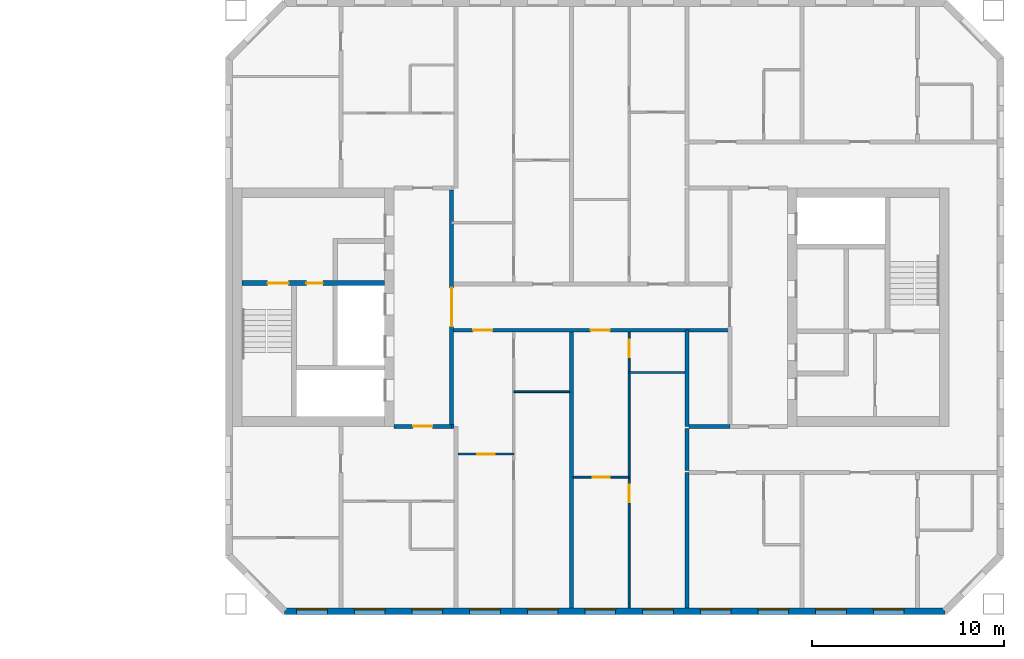
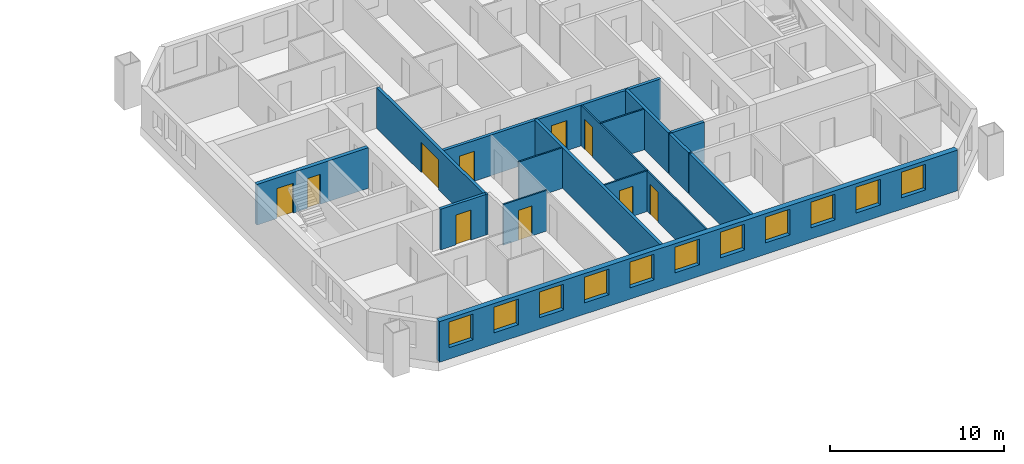
# One storey, part 9 of 15: 16 walls, 11 windows, 10 doors, 21 openings.
"""IFC4 building model written with IfcOpenShell, lengths in metres."""

from ifc_helpers import new_model, si_unit, direction, frame, frame_2d, origin, place, context, subcontext, project, spatial, rectangle, extrude, material, layer, layer_set, type_object, element, fill, save


model = new_model("IFC4")

# Units and contexts
model_context = context("Model", 3, precision=1e-05, world=origin(), true_north=direction((0.0, 1.0)))
body_context = subcontext(model_context, "Body", "Model", "MODEL_VIEW")
ifc_project = project(units=[si_unit("LENGTHUNIT", "METRE"), si_unit("AREAUNIT", "SQUARE_METRE"), si_unit("VOLUMEUNIT", "CUBIC_METRE"), si_unit("PLANEANGLEUNIT", "RADIAN"), si_unit("MASSUNIT", "GRAM", prefix="KILO")], contexts=[model_context])

# Site, building, storey
site_placement = place(None, origin())
site = spatial("IfcSite", under=ifc_project, at=site_placement, CompositionType="ELEMENT")
building_placement = place(site_placement, origin())
building = spatial("IfcBuilding", under=site, at=building_placement, Name="Tuart Gate Housing", CompositionType="ELEMENT")
storey_placement = place(building_placement, frame((0.0, 0.0, 148.5)))
storey = spatial("IfcBuildingStorey", under=building, at=storey_placement, Name="L41", CompositionType="ELEMENT", Elevation=148.5)

# Wall, openings, windows
ifc_material_1 = material(Name="Brick", Category="masonry")
ifc_layer_1 = layer(ifc_material_1, 0.360107421875)
ifc_layer_set_1 = layer_set([ifc_layer_1], Name="Brick pier and spandrel wall 360")
wall_type_1 = type_object("IfcWallType", Name="Brick pier and spandrel wall 360", PredefinedType="STANDARD", material=ifc_layer_set_1)
wall_1_placement = place(storey_placement, frame((134.07470703125, 54.179931640625, 0.0), z_axis=(0.0, 0.0, 1.0), x_axis=(1.0, 0.0, 0.0)))
wall_1 = element("IfcWall", 1, at=wall_1_placement, inside=storey, type_object=wall_type_1, Name="External wall B-S L41", PredefinedType="STANDARD", context=body_context, shape_type="SweptSolid", body=[
    extrude(rectangle(XDim=34.350830078125, YDim=0.360107421875, at=frame_2d((17.17529296875, 0.0))), origin(), (0.0, 0.0, 1.0), 2.85009765625),
])
opening_1_placement = place(wall_1_placement, frame((0.62548828125, 0.0, 0.800048828125)))
opening_1 = element("IfcOpeningElement", 2, at=opening_1_placement, cuts=wall_1, Name="Opening W1", PredefinedType="OPENING", context=body_context, shape_type="SweptSolid", body=[
    extrude(rectangle(XDim=1.60009765625, YDim=1.800048828125, at=frame_2d((0.800048828125, 0.89990234375))), frame((0.0, 0.18994140625, 0.0), z_axis=(0.0, -1.0, 0.0), x_axis=(1.0, 0.0, 0.0)), (0.0, 0.0, 1.0), 0.380126953125),
])
opening_2_placement = place(wall_1_placement, frame((3.62548828125, 0.0, 0.800048828125)))
opening_2 = element("IfcOpeningElement", 3, at=opening_2_placement, cuts=wall_1, Name="Opening W1", PredefinedType="OPENING", context=body_context, shape_type="SweptSolid", body=[
    extrude(rectangle(XDim=1.60009765625, YDim=1.800048828125, at=frame_2d((0.800048828125, 0.89990234375))), frame((0.0, 0.18994140625, 0.0), z_axis=(0.0, -1.0, 0.0), x_axis=(1.0, 0.0, 0.0)), (0.0, 0.0, 1.0), 0.380126953125),
])
opening_3_placement = place(wall_1_placement, frame((6.62548828125, 0.0, 0.800048828125)))
opening_3 = element("IfcOpeningElement", 4, at=opening_3_placement, cuts=wall_1, Name="Opening W1", PredefinedType="OPENING", context=body_context, shape_type="SweptSolid", body=[
    extrude(rectangle(XDim=1.60009765625, YDim=1.800048828125, at=frame_2d((0.800048828125, 0.89990234375))), frame((0.0, 0.18994140625, 0.0), z_axis=(0.0, -1.0, 0.0), x_axis=(1.0, 0.0, 0.0)), (0.0, 0.0, 1.0), 0.380126953125),
])
opening_4_placement = place(wall_1_placement, frame((9.62548828125, 0.0, 0.800048828125)))
opening_4 = element("IfcOpeningElement", 5, at=opening_4_placement, cuts=wall_1, Name="Opening W1", PredefinedType="OPENING", context=body_context, shape_type="SweptSolid", body=[
    extrude(rectangle(XDim=1.60009765625, YDim=1.800048828125, at=frame_2d((0.800048828125, 0.89990234375))), frame((0.0, 0.18994140625, 0.0), z_axis=(0.0, -1.0, 0.0), x_axis=(1.0, 0.0, 0.0)), (0.0, 0.0, 1.0), 0.380126953125),
])
opening_5_placement = place(wall_1_placement, frame((12.62548828125, 0.0, 0.800048828125)))
opening_5 = element("IfcOpeningElement", 6, at=opening_5_placement, cuts=wall_1, Name="Opening W1", PredefinedType="OPENING", context=body_context, shape_type="SweptSolid", body=[
    extrude(rectangle(XDim=1.60009765625, YDim=1.800048828125, at=frame_2d((0.800048828125, 0.89990234375))), frame((0.0, 0.18994140625, 0.0), z_axis=(0.0, -1.0, 0.0), x_axis=(1.0, 0.0, 0.0)), (0.0, 0.0, 1.0), 0.380126953125),
])
opening_6_placement = place(wall_1_placement, frame((15.62548828125, 0.0, 0.800048828125)))
opening_6 = element("IfcOpeningElement", 7, at=opening_6_placement, cuts=wall_1, Name="Opening W1", PredefinedType="OPENING", context=body_context, shape_type="SweptSolid", body=[
    extrude(rectangle(XDim=1.60009765625, YDim=1.800048828125, at=frame_2d((0.800048828125, 0.89990234375))), frame((0.0, 0.18994140625, 0.0), z_axis=(0.0, -1.0, 0.0), x_axis=(1.0, 0.0, 0.0)), (0.0, 0.0, 1.0), 0.380126953125),
])
opening_7_placement = place(wall_1_placement, frame((18.62548828125, 0.0, 0.800048828125)))
opening_7 = element("IfcOpeningElement", 8, at=opening_7_placement, cuts=wall_1, Name="Opening W1", PredefinedType="OPENING", context=body_context, shape_type="SweptSolid", body=[
    extrude(rectangle(XDim=1.60009765625, YDim=1.800048828125, at=frame_2d((0.800048828125, 0.89990234375))), frame((0.0, 0.18994140625, 0.0), z_axis=(0.0, -1.0, 0.0), x_axis=(1.0, 0.0, 0.0)), (0.0, 0.0, 1.0), 0.380126953125),
])
opening_8_placement = place(wall_1_placement, frame((21.62548828125, 0.0, 0.800048828125)))
opening_8 = element("IfcOpeningElement", 9, at=opening_8_placement, cuts=wall_1, Name="Opening W1", PredefinedType="OPENING", context=body_context, shape_type="SweptSolid", body=[
    extrude(rectangle(XDim=1.60009765625, YDim=1.800048828125, at=frame_2d((0.800048828125, 0.89990234375))), frame((0.0, 0.18994140625, 0.0), z_axis=(0.0, -1.0, 0.0), x_axis=(1.0, 0.0, 0.0)), (0.0, 0.0, 1.0), 0.380126953125),
])
opening_9_placement = place(wall_1_placement, frame((24.62548828125, 0.0, 0.800048828125)))
opening_9 = element("IfcOpeningElement", 10, at=opening_9_placement, cuts=wall_1, Name="Opening W1", PredefinedType="OPENING", context=body_context, shape_type="SweptSolid", body=[
    extrude(rectangle(XDim=1.60009765625, YDim=1.800048828125, at=frame_2d((0.800048828125, 0.89990234375))), frame((0.0, 0.18994140625, 0.0), z_axis=(0.0, -1.0, 0.0), x_axis=(1.0, 0.0, 0.0)), (0.0, 0.0, 1.0), 0.380126953125),
])
opening_10_placement = place(wall_1_placement, frame((27.62548828125, 0.0, 0.800048828125)))
opening_10 = element("IfcOpeningElement", 11, at=opening_10_placement, cuts=wall_1, Name="Opening W1", PredefinedType="OPENING", context=body_context, shape_type="SweptSolid", body=[
    extrude(rectangle(XDim=1.60009765625, YDim=1.800048828125, at=frame_2d((0.800048828125, 0.89990234375))), frame((0.0, 0.18994140625, 0.0), z_axis=(0.0, -1.0, 0.0), x_axis=(1.0, 0.0, 0.0)), (0.0, 0.0, 1.0), 0.380126953125),
])
opening_11_placement = place(wall_1_placement, frame((30.62548828125, 0.0, 0.800048828125)))
opening_11 = element("IfcOpeningElement", 12, at=opening_11_placement, cuts=wall_1, Name="Opening W1", PredefinedType="OPENING", context=body_context, shape_type="SweptSolid", body=[
    extrude(rectangle(XDim=1.60009765625, YDim=1.800048828125, at=frame_2d((0.800048828125, 0.89990234375))), frame((0.0, 0.18994140625, 0.0), z_axis=(0.0, -1.0, 0.0), x_axis=(1.0, 0.0, 0.0)), (0.0, 0.0, 1.0), 0.380126953125),
])
ifc_material_2 = material(Name="Aluminium frame with clear glass", Category="aluminium")
window_type = type_object("IfcWindowType", Name="Punched window 1600 x 1800", PartitioningType="SINGLE_PANEL", PredefinedType="WINDOW", material=ifc_material_2)
window_1_placement = place(opening_1_placement, origin())
window_1 = element("IfcWindow", 13, at=window_1_placement, inside=storey, type_object=window_type, Name="Window W1", OverallHeight=1.800048828125, OverallWidth=1.60009765625, PartitioningType="SINGLE_PANEL", PredefinedType="WINDOW", context=body_context, shape_type="SweptSolid", body=[
    extrude(rectangle(XDim=1.60009765625, YDim=1.800048828125, at=frame_2d((0.800048828125, 0.89990234375))), frame((0.0, 0.150146484375, 0.0), z_axis=(0.0, -1.0, 0.0), x_axis=(1.0, 0.0, 0.0)), (0.0, 0.0, 1.0), 0.06005859375),
])
fill(opening_1, window_1)
window_2_placement = place(opening_2_placement, origin())
window_2 = element("IfcWindow", 14, at=window_2_placement, inside=storey, type_object=window_type, Name="Window W1", OverallHeight=1.800048828125, OverallWidth=1.60009765625, PartitioningType="SINGLE_PANEL", PredefinedType="WINDOW", context=body_context, shape_type="SweptSolid", body=[
    extrude(rectangle(XDim=1.60009765625, YDim=1.800048828125, at=frame_2d((0.800048828125, 0.89990234375))), frame((0.0, 0.150146484375, 0.0), z_axis=(0.0, -1.0, 0.0), x_axis=(1.0, 0.0, 0.0)), (0.0, 0.0, 1.0), 0.06005859375),
])
fill(opening_2, window_2)
window_3_placement = place(opening_3_placement, origin())
window_3 = element("IfcWindow", 15, at=window_3_placement, inside=storey, type_object=window_type, Name="Window W1", OverallHeight=1.800048828125, OverallWidth=1.60009765625, PartitioningType="SINGLE_PANEL", PredefinedType="WINDOW", context=body_context, shape_type="SweptSolid", body=[
    extrude(rectangle(XDim=1.60009765625, YDim=1.800048828125, at=frame_2d((0.800048828125, 0.89990234375))), frame((0.0, 0.150146484375, 0.0), z_axis=(0.0, -1.0, 0.0), x_axis=(1.0, 0.0, 0.0)), (0.0, 0.0, 1.0), 0.06005859375),
])
fill(opening_3, window_3)
window_4_placement = place(opening_4_placement, origin())
window_4 = element("IfcWindow", 16, at=window_4_placement, inside=storey, type_object=window_type, Name="Window W1", OverallHeight=1.800048828125, OverallWidth=1.60009765625, PartitioningType="SINGLE_PANEL", PredefinedType="WINDOW", context=body_context, shape_type="SweptSolid", body=[
    extrude(rectangle(XDim=1.60009765625, YDim=1.800048828125, at=frame_2d((0.800048828125, 0.89990234375))), frame((0.0, 0.150146484375, 0.0), z_axis=(0.0, -1.0, 0.0), x_axis=(1.0, 0.0, 0.0)), (0.0, 0.0, 1.0), 0.06005859375),
])
fill(opening_4, window_4)
window_5_placement = place(opening_5_placement, origin())
window_5 = element("IfcWindow", 17, at=window_5_placement, inside=storey, type_object=window_type, Name="Window W1", OverallHeight=1.800048828125, OverallWidth=1.60009765625, PartitioningType="SINGLE_PANEL", PredefinedType="WINDOW", context=body_context, shape_type="SweptSolid", body=[
    extrude(rectangle(XDim=1.60009765625, YDim=1.800048828125, at=frame_2d((0.800048828125, 0.89990234375))), frame((0.0, 0.150146484375, 0.0), z_axis=(0.0, -1.0, 0.0), x_axis=(1.0, 0.0, 0.0)), (0.0, 0.0, 1.0), 0.06005859375),
])
fill(opening_5, window_5)
window_6_placement = place(opening_6_placement, origin())
window_6 = element("IfcWindow", 18, at=window_6_placement, inside=storey, type_object=window_type, Name="Window W1", OverallHeight=1.800048828125, OverallWidth=1.60009765625, PartitioningType="SINGLE_PANEL", PredefinedType="WINDOW", context=body_context, shape_type="SweptSolid", body=[
    extrude(rectangle(XDim=1.60009765625, YDim=1.800048828125, at=frame_2d((0.800048828125, 0.89990234375))), frame((0.0, 0.150146484375, 0.0), z_axis=(0.0, -1.0, 0.0), x_axis=(1.0, 0.0, 0.0)), (0.0, 0.0, 1.0), 0.06005859375),
])
fill(opening_6, window_6)
window_7_placement = place(opening_7_placement, origin())
window_7 = element("IfcWindow", 19, at=window_7_placement, inside=storey, type_object=window_type, Name="Window W1", OverallHeight=1.800048828125, OverallWidth=1.60009765625, PartitioningType="SINGLE_PANEL", PredefinedType="WINDOW", context=body_context, shape_type="SweptSolid", body=[
    extrude(rectangle(XDim=1.60009765625, YDim=1.800048828125, at=frame_2d((0.800048828125, 0.89990234375))), frame((0.0, 0.150146484375, 0.0), z_axis=(0.0, -1.0, 0.0), x_axis=(1.0, 0.0, 0.0)), (0.0, 0.0, 1.0), 0.06005859375),
])
fill(opening_7, window_7)
window_8_placement = place(opening_8_placement, origin())
window_8 = element("IfcWindow", 20, at=window_8_placement, inside=storey, type_object=window_type, Name="Window W1", OverallHeight=1.800048828125, OverallWidth=1.60009765625, PartitioningType="SINGLE_PANEL", PredefinedType="WINDOW", context=body_context, shape_type="SweptSolid", body=[
    extrude(rectangle(XDim=1.60009765625, YDim=1.800048828125, at=frame_2d((0.800048828125, 0.89990234375))), frame((0.0, 0.150146484375, 0.0), z_axis=(0.0, -1.0, 0.0), x_axis=(1.0, 0.0, 0.0)), (0.0, 0.0, 1.0), 0.06005859375),
])
fill(opening_8, window_8)
window_9_placement = place(opening_9_placement, origin())
window_9 = element("IfcWindow", 21, at=window_9_placement, inside=storey, type_object=window_type, Name="Window W1", OverallHeight=1.800048828125, OverallWidth=1.60009765625, PartitioningType="SINGLE_PANEL", PredefinedType="WINDOW", context=body_context, shape_type="SweptSolid", body=[
    extrude(rectangle(XDim=1.60009765625, YDim=1.800048828125, at=frame_2d((0.800048828125, 0.89990234375))), frame((0.0, 0.150146484375, 0.0), z_axis=(0.0, -1.0, 0.0), x_axis=(1.0, 0.0, 0.0)), (0.0, 0.0, 1.0), 0.06005859375),
])
fill(opening_9, window_9)
window_10_placement = place(opening_10_placement, origin())
window_10 = element("IfcWindow", 22, at=window_10_placement, inside=storey, type_object=window_type, Name="Window W1", OverallHeight=1.800048828125, OverallWidth=1.60009765625, PartitioningType="SINGLE_PANEL", PredefinedType="WINDOW", context=body_context, shape_type="SweptSolid", body=[
    extrude(rectangle(XDim=1.60009765625, YDim=1.800048828125, at=frame_2d((0.800048828125, 0.89990234375))), frame((0.0, 0.150146484375, 0.0), z_axis=(0.0, -1.0, 0.0), x_axis=(1.0, 0.0, 0.0)), (0.0, 0.0, 1.0), 0.06005859375),
])
fill(opening_10, window_10)
window_11_placement = place(opening_11_placement, origin())
window_11 = element("IfcWindow", 23, at=window_11_placement, inside=storey, type_object=window_type, Name="Window W1", OverallHeight=1.800048828125, OverallWidth=1.60009765625, PartitioningType="SINGLE_PANEL", PredefinedType="WINDOW", context=body_context, shape_type="SweptSolid", body=[
    extrude(rectangle(XDim=1.60009765625, YDim=1.800048828125, at=frame_2d((0.800048828125, 0.89990234375))), frame((0.0, 0.150146484375, 0.0), z_axis=(0.0, -1.0, 0.0), x_axis=(1.0, 0.0, 0.0)), (0.0, 0.0, 1.0), 0.06005859375),
])
fill(opening_11, window_11)

# Wall, openings, doors
ifc_material_3 = material(Name="Concrete C40", Category="concrete")
ifc_layer_2 = layer(ifc_material_3, 0.25)
ifc_layer_set_2 = layer_set([ifc_layer_2], Name="Core wall 250 C40")
wall_type_2 = type_object("IfcWallType", Name="Core wall 250 C40", PredefinedType="SHEAR", material=ifc_layer_set_2)
wall_2_placement = place(storey_placement, frame((139.260009765625, 71.25, 0.0), z_axis=(0.0, 0.0, 1.0), x_axis=(-1.0, 0.0, 0.0)))
wall_2 = element("IfcWall", 24, at=wall_2_placement, inside=storey, type_object=wall_type_2, Name="Core wall BG.2", PredefinedType="SHEAR", context=body_context, shape_type="SweptSolid", body=[
    extrude(rectangle(XDim=7.39990234375, YDim=0.25, at=frame_2d((3.699951171875, 0.0))), origin(), (0.0, 0.0, 1.0), 2.85009765625),
])
opening_12_placement = place(wall_2_placement, frame((4.97509765625, 0.0, 0.0)))
opening_12 = element("IfcOpeningElement", 25, at=opening_12_placement, cuts=wall_2, Name="Opening D1591", PredefinedType="OPENING", context=body_context, shape_type="SweptSolid", body=[
    extrude(rectangle(XDim=1.10009765625, YDim=2.10009765625, at=frame_2d((0.550048828125, 1.050048828125))), frame((0.0, 0.135009765625, 0.0), z_axis=(0.0, -1.0, 0.0), x_axis=(1.0, 0.0, 0.0)), (0.0, 0.0, 1.0), 0.27001953125),
])
opening_13_placement = place(wall_2_placement, frame((3.199951171875, 0.0, 0.0)))
opening_13 = element("IfcOpeningElement", 26, at=opening_13_placement, cuts=wall_2, Name="Opening D1590", PredefinedType="OPENING", context=body_context, shape_type="SweptSolid", body=[
    extrude(rectangle(XDim=0.85009765625, YDim=2.10009765625, at=frame_2d((0.425048828125, 1.050048828125))), frame((0.0, 0.135009765625, 0.0), z_axis=(0.0, -1.0, 0.0), x_axis=(1.0, 0.0, 0.0)), (0.0, 0.0, 1.0), 0.27001953125),
])
ifc_material_4 = material(Name="Steel fire door", Category="steel")
door_type_1 = type_object("IfcDoorType", Name="Riser door 850 x 2100", OperationType="SINGLE_SWING_LEFT", PredefinedType="DOOR", material=ifc_material_4)
door_1_placement = place(opening_13_placement, origin())
door_1 = element("IfcDoor", 27, at=door_1_placement, inside=storey, type_object=door_type_1, Name="Service room door BG.W1", OperationType="SINGLE_SWING_LEFT", OverallHeight=2.10009765625, OverallWidth=0.85009765625, PredefinedType="DOOR", context=body_context, shape_type="SweptSolid", body=[
    extrude(rectangle(XDim=0.85009765625, YDim=2.10009765625, at=frame_2d((0.425048828125, 1.050048828125))), frame((0.0, 0.02490234375, 0.0), z_axis=(0.0, -1.0, 0.0), x_axis=(1.0, 0.0, 0.0)), (0.0, 0.0, 1.0), 0.050048828125),
])
fill(opening_13, door_1)
ifc_material_5 = material(Name="Steel fire door", Category="steel")
door_type_2 = type_object("IfcDoorType", Name="Stair door 1100 x 2100", OperationType="SINGLE_SWING_LEFT", PredefinedType="DOOR", material=ifc_material_5)
door_2_placement = place(opening_12_placement, origin())
door_2 = element("IfcDoor", 28, at=door_2_placement, inside=storey, type_object=door_type_2, Name="Stair door BG.SD", OperationType="SINGLE_SWING_LEFT", OverallHeight=2.10009765625, OverallWidth=1.10009765625, PredefinedType="DOOR", context=body_context, shape_type="SweptSolid", body=[
    extrude(rectangle(XDim=1.10009765625, YDim=2.10009765625, at=frame_2d((0.550048828125, 1.050048828125))), frame((0.0, 0.02490234375, 0.0), z_axis=(0.0, -1.0, 0.0), x_axis=(1.0, 0.0, 0.0)), (0.0, 0.0, 1.0), 0.050048828125),
])
fill(opening_12, door_2)

# Wall
ifc_material_6 = material(Name="Concrete masonry 15 MPa", Category="masonry")
ifc_layer_3 = layer(ifc_material_6, 0.199951171875)
ifc_layer_set_3 = layer_set([ifc_layer_3], Name="Corridor wall masonry 200")
wall_type_3 = type_object("IfcWallType", Name="Corridor wall masonry 200", PredefinedType="PARTITIONING", material=ifc_layer_set_3)
wall_3_placement = place(storey_placement, frame((155.10009765625, 63.800048828125, 0.0), z_axis=(0.0, 0.0, 1.0), x_axis=(1.0, 0.0, 0.0)))
element("IfcWall", 29, at=wall_3_placement, inside=storey, type_object=wall_type_3, Name="Corridor wall masonry 200", PredefinedType="PARTITIONING", context=body_context, shape_type="SweptSolid", body=[
    extrude(rectangle(XDim=2.139892578125, YDim=0.199951171875, at=frame_2d((1.06982421875, 0.0))), origin(), (0.0, 0.0, 1.0), 2.85009765625),
])

# Wall, openings, doors
wall_4_placement = place(storey_placement, frame((142.760009765625, 68.800048828125, 0.0), z_axis=(0.0, 0.0, 1.0), x_axis=(1.0, 0.0, 0.0)))
wall_4 = element("IfcWall", 30, at=wall_4_placement, inside=storey, type_object=wall_type_3, Name="Corridor wall masonry 200", PredefinedType="PARTITIONING", context=body_context, shape_type="SweptSolid", body=[
    extrude(rectangle(XDim=14.47998046875, YDim=0.199951171875, at=frame_2d((7.239990234375, 0.0))), origin(), (0.0, 0.0, 1.0), 2.85009765625),
])
opening_14_placement = place(wall_4_placement, frame((1.1201171875, 0.0, 0.0)))
opening_14 = element("IfcOpeningElement", 31, at=opening_14_placement, cuts=wall_4, Name="Opening D1601", PredefinedType="OPENING", context=body_context, shape_type="SweptSolid", body=[
    extrude(rectangle(XDim=1.0, YDim=2.10009765625, at=frame_2d((0.5, 1.050048828125))), frame((0.0, 0.10986328125, 0.0), z_axis=(0.0, -1.0, 0.0), x_axis=(1.0, 0.0, 0.0)), (0.0, 0.0, 1.0), 0.219970703125),
])
opening_15_placement = place(wall_4_placement, frame((7.239990234375, 0.0, 0.0)))
opening_15 = element("IfcOpeningElement", 32, at=opening_15_placement, cuts=wall_4, Name="Opening D1602", PredefinedType="OPENING", context=body_context, shape_type="SweptSolid", body=[
    extrude(rectangle(XDim=1.0, YDim=2.10009765625, at=frame_2d((0.5, 1.050048828125))), frame((0.0, 0.10986328125, 0.0), z_axis=(0.0, -1.0, 0.0), x_axis=(1.0, 0.0, 0.0)), (0.0, 0.0, 1.0), 0.219970703125),
])
ifc_material_7 = material(Name="Timber door leaf in steel frame", Category="steel")
door_type_3 = type_object("IfcDoorType", Name="Flat entrance door 1000 RH", OperationType="SINGLE_SWING_RIGHT", PredefinedType="DOOR", material=ifc_material_7)
door_3_placement = place(opening_14_placement, frame((1.0, 0.0, 0.0), z_axis=(0.0, 0.0, 1.0), x_axis=(-1.0, 0.0, 0.0)))
door_3 = element("IfcDoor", 33, at=door_3_placement, inside=storey, type_object=door_type_3, Name="Flat entrance door", OperationType="SINGLE_SWING_RIGHT", OverallHeight=2.10009765625, OverallWidth=1.0, PredefinedType="DOOR", context=body_context, shape_type="SweptSolid", body=[
    extrude(rectangle(XDim=1.0, YDim=2.10009765625, at=frame_2d((0.5, 1.050048828125))), frame((0.0, 0.025146484375, 0.0), z_axis=(0.0, -1.0, 0.0), x_axis=(1.0, 0.0, 0.0)), (0.0, 0.0, 1.0), 0.050048828125),
])
fill(opening_14, door_3)
door_4_placement = place(opening_15_placement, frame((1.0, 0.0, 0.0), z_axis=(0.0, 0.0, 1.0), x_axis=(-1.0, 0.0, 0.0)))
door_4 = element("IfcDoor", 34, at=door_4_placement, inside=storey, type_object=door_type_3, Name="Flat entrance door", OperationType="SINGLE_SWING_RIGHT", OverallHeight=2.10009765625, OverallWidth=1.0, PredefinedType="DOOR", context=body_context, shape_type="SweptSolid", body=[
    extrude(rectangle(XDim=1.0, YDim=2.10009765625, at=frame_2d((0.5, 1.050048828125))), frame((0.0, 0.025146484375, 0.0), z_axis=(0.0, -1.0, 0.0), x_axis=(1.0, 0.0, 0.0)), (0.0, 0.0, 1.0), 0.050048828125),
])
fill(opening_15, door_4)

# Wall
wall_5_placement = place(storey_placement, frame((155.0, 61.5, 0.0), z_axis=(0.0, 0.0, 1.0), x_axis=(0.0, 1.0, 0.0)))
element("IfcWall", 35, at=wall_5_placement, inside=storey, type_object=wall_type_3, Name="Corridor wall masonry 200", PredefinedType="PARTITIONING", context=body_context, shape_type="SweptSolid", body=[
    extrude(rectangle(XDim=2.199951171875, YDim=0.199951171875, at=frame_2d((1.10009765625, 0.0))), origin(), (0.0, 0.0, 1.0), 2.85009765625),
])

# Wall, opening, door
ifc_material_8 = material(Name="Concrete masonry 15 MPa", Category="masonry")
ifc_layer_4 = layer(ifc_material_8, 0.199951171875)
ifc_layer_set_4 = layer_set([ifc_layer_4], Name="Enclosure wall masonry 200")
wall_type_4 = type_object("IfcWallType", Name="Enclosure wall masonry 200", PredefinedType="PARTITIONING", material=ifc_layer_set_4)
wall_6_placement = place(storey_placement, frame((139.760009765625, 63.800048828125, 0.0), z_axis=(0.0, 0.0, 1.0), x_axis=(1.0, 0.0, 0.0)))
wall_6 = element("IfcWall", 36, at=wall_6_placement, inside=storey, type_object=wall_type_4, Name="Enclosure wall masonry 200", PredefinedType="PARTITIONING", context=body_context, shape_type="SweptSolid", body=[
    extrude(rectangle(XDim=3.0, YDim=0.199951171875, at=frame_2d((1.5, 0.0))), origin(), (0.0, 0.0, 1.0), 2.85009765625),
])
opening_16_placement = place(wall_6_placement, frame((1.0, 0.0, 0.0)))
opening_16 = element("IfcOpeningElement", 37, at=opening_16_placement, cuts=wall_6, Name="Opening D1606", PredefinedType="OPENING", context=body_context, shape_type="SweptSolid", body=[
    extrude(rectangle(XDim=1.0, YDim=2.10009765625, at=frame_2d((0.5, 1.050048828125))), frame((0.0, 0.10986328125, 0.0), z_axis=(0.0, -1.0, 0.0), x_axis=(1.0, 0.0, 0.0)), (0.0, 0.0, 1.0), 0.219970703125),
])
ifc_material_9 = material(Name="Timber door leaf in steel frame", Category="steel")
door_type_4 = type_object("IfcDoorType", Name="Flat entrance door 1000", OperationType="SINGLE_SWING_LEFT", PredefinedType="DOOR", material=ifc_material_9)
door_5_placement = place(opening_16_placement, frame((1.0, 0.0, 0.0), z_axis=(0.0, 0.0, 1.0), x_axis=(-1.0, 0.0, 0.0)))
door_5 = element("IfcDoor", 38, at=door_5_placement, inside=storey, type_object=door_type_4, Name="Flat entrance door", OperationType="SINGLE_SWING_LEFT", OverallHeight=2.10009765625, OverallWidth=1.0, PredefinedType="DOOR", context=body_context, shape_type="SweptSolid", body=[
    extrude(rectangle(XDim=1.0, YDim=2.10009765625, at=frame_2d((0.5, 1.050048828125))), frame((0.0, 0.025146484375, 0.0), z_axis=(0.0, -1.0, 0.0), x_axis=(1.0, 0.0, 0.0)), (0.0, 0.0, 1.0), 0.050048828125),
])
fill(opening_16, door_5)

ifc_material_10 = material(Name="Plasterboard partition")
ifc_layer_5 = layer(ifc_material_10, 0.199951171875)
ifc_layer_set_5 = layer_set([ifc_layer_5], Name="Lobby wall 200")
wall_type_5 = type_object("IfcWallType", Name="Lobby wall 200", PredefinedType="PARTITIONING", material=ifc_layer_set_5)
wall_7_placement = place(storey_placement, frame((142.760009765625, 63.89990234375, 0.0), z_axis=(0.0, 0.0, 1.0), x_axis=(0.0, 1.0, 0.0)))
wall_7 = element("IfcWall", 39, at=wall_7_placement, inside=storey, type_object=wall_type_5, Name="Lift lobby wall BG", PredefinedType="PARTITIONING", context=body_context, shape_type="SweptSolid", body=[
    extrude(rectangle(XDim=12.2001953125, YDim=0.199951171875, at=frame_2d((6.10009765625, 0.0))), origin(), (0.0, 0.0, 1.0), 2.85009765625),
])
opening_17_placement = place(wall_7_placement, frame((5.10009765625, 0.0, 0.0)))
opening_17 = element("IfcOpeningElement", 40, at=opening_17_placement, cuts=wall_7, Name="Opening D1596", PredefinedType="OPENING", context=body_context, shape_type="SweptSolid", body=[
    extrude(rectangle(XDim=2.0, YDim=2.10009765625, at=frame_2d((1.0, 1.050048828125))), frame((0.0, 0.10986328125, 0.0), z_axis=(0.0, -1.0, 0.0), x_axis=(1.0, 0.0, 0.0)), (0.0, 0.0, 1.0), 0.219970703125),
])
ifc_material_11 = material(Name="Steel fire door", Category="steel")
door_type_5 = type_object("IfcDoorType", Name="Smoke door 2000 x 2100", OperationType="DOUBLE_DOOR_SINGLE_SWING", PredefinedType="DOOR", material=ifc_material_11)
door_6_placement = place(opening_17_placement, origin())
door_6 = element("IfcDoor", 41, at=door_6_placement, inside=storey, type_object=door_type_5, Name="Lift lobby smoke door BG", OperationType="DOUBLE_DOOR_SINGLE_SWING", OverallHeight=2.10009765625, OverallWidth=2.0, PredefinedType="DOOR", context=body_context, shape_type="SweptSolid", body=[
    extrude(rectangle(XDim=2.0, YDim=2.10009765625, at=frame_2d((1.0, 1.050048828125))), frame((0.0, 0.02490234375, 0.0), z_axis=(0.0, -1.0, 0.0), x_axis=(1.0, 0.0, 0.0)), (0.0, 0.0, 1.0), 0.050048828125),
])
fill(opening_17, door_6)

ifc_material_12 = material(Name="Gypsum board on steel studs", Category="steel")
ifc_layer_6 = layer(ifc_material_12, 0.10009765625)
ifc_layer_set_6 = layer_set([ifc_layer_6], Name="Partition 100")
wall_type_6 = type_object("IfcWallType", Name="Partition 100", PredefinedType="PARTITIONING", material=ifc_layer_set_6)
wall_8_placement = place(storey_placement, frame((149.10009765625, 61.159912109375, 0.0), z_axis=(0.0, 0.0, 1.0), x_axis=(1.0, 0.0, 0.0)))
wall_8 = element("IfcWall", 42, at=wall_8_placement, inside=storey, type_object=wall_type_6, Name="Partition 100", PredefinedType="PARTITIONING", context=body_context, shape_type="SweptSolid", body=[
    extrude(rectangle(XDim=2.89990234375, YDim=0.10009765625, at=frame_2d((1.449951171875, 0.0))), origin(), (0.0, 0.0, 1.0), 2.85009765625),
])
opening_18_placement = place(wall_8_placement, frame((1.0, 0.0, 0.0)))
opening_18 = element("IfcOpeningElement", 43, at=opening_18_placement, cuts=wall_8, Name="Opening D1615", PredefinedType="OPENING", context=body_context, shape_type="SweptSolid", body=[
    extrude(rectangle(XDim=0.89990234375, YDim=2.10009765625, at=frame_2d((0.449951171875, 1.050048828125))), frame((0.0, 0.06005859375, 0.0), z_axis=(0.0, -1.0, 0.0), x_axis=(1.0, 0.0, 0.0)), (0.0, 0.0, 1.0), 0.1201171875),
])
ifc_material_13 = material(Name="Timber door leaf in steel frame", Category="steel")
door_type_6 = type_object("IfcDoorType", Name="Internal door 900 RH", OperationType="SINGLE_SWING_RIGHT", PredefinedType="DOOR", material=ifc_material_13)
door_7_placement = place(opening_18_placement, origin())
door_7 = element("IfcDoor", 44, at=door_7_placement, inside=storey, type_object=door_type_6, Name="Internal door", OperationType="SINGLE_SWING_RIGHT", OverallHeight=2.10009765625, OverallWidth=0.89990234375, PredefinedType="DOOR", context=body_context, shape_type="SweptSolid", body=[
    extrude(rectangle(XDim=0.89990234375, YDim=2.10009765625, at=frame_2d((0.449951171875, 1.050048828125))), frame((0.0, 0.02490234375, 0.0), z_axis=(0.0, -1.0, 0.0), x_axis=(1.0, 0.0, 0.0)), (0.0, 0.0, 1.0), 0.050048828125),
])
fill(opening_18, door_7)

wall_9_placement = place(storey_placement, frame((143.10009765625, 62.360107421875, 0.0), z_axis=(0.0, 0.0, 1.0), x_axis=(1.0, 0.0, 0.0)))
wall_9 = element("IfcWall", 45, at=wall_9_placement, inside=storey, type_object=wall_type_6, Name="Partition 100", PredefinedType="PARTITIONING", context=body_context, shape_type="SweptSolid", body=[
    extrude(rectangle(XDim=2.89990234375, YDim=0.10009765625, at=frame_2d((1.449951171875, 0.0))), origin(), (0.0, 0.0, 1.0), 2.85009765625),
])
opening_19_placement = place(wall_9_placement, frame((1.0, 0.0, 0.0)))
opening_19 = element("IfcOpeningElement", 46, at=opening_19_placement, cuts=wall_9, Name="Opening D1608", PredefinedType="OPENING", context=body_context, shape_type="SweptSolid", body=[
    extrude(rectangle(XDim=0.89990234375, YDim=2.10009765625, at=frame_2d((0.449951171875, 1.050048828125))), frame((0.0, 0.06005859375, 0.0), z_axis=(0.0, -1.0, 0.0), x_axis=(1.0, 0.0, 0.0)), (0.0, 0.0, 1.0), 0.1201171875),
])
door_8_placement = place(opening_19_placement, origin())
door_8 = element("IfcDoor", 47, at=door_8_placement, inside=storey, type_object=door_type_6, Name="Internal door", OperationType="SINGLE_SWING_RIGHT", OverallHeight=2.10009765625, OverallWidth=0.89990234375, PredefinedType="DOOR", context=body_context, shape_type="SweptSolid", body=[
    extrude(rectangle(XDim=0.89990234375, YDim=2.10009765625, at=frame_2d((0.449951171875, 1.050048828125))), frame((0.0, 0.02490234375, 0.0), z_axis=(0.0, -1.0, 0.0), x_axis=(1.0, 0.0, 0.0)), (0.0, 0.0, 1.0), 0.050048828125),
])
fill(opening_19, door_8)

# Walls
for number, where, z_axis, x_axis, name in (
    (48, (146.0, 65.60009765625, 0.0), (0.0, 0.0, 1.0), (1.0, 0.0, 0.0), "Partition 100"),
    (49, (152.0, 66.60009765625, 0.0), (0.0, 0.0, 1.0), (1.0, 0.0, 0.0), "Partition 100"),
):
    element("IfcWall", number, at=place(storey_placement, frame(where, z_axis=z_axis, x_axis=x_axis)), inside=storey, type_object=wall_type_6, Name=name, PredefinedType="PARTITIONING", context=body_context, shape_type="SweptSolid", body=[
        extrude(rectangle(XDim=2.89990234375, YDim=0.10009765625, at=frame_2d((1.449951171875, 0.0))), origin(), (0.0, 0.0, 1.0), 2.85009765625),
    ])

# Wall, openings, doors
wall_10_placement = place(storey_placement, frame((152.0, 54.360107421875, 0.0), z_axis=(0.0, 0.0, 1.0), x_axis=(0.0, 1.0, 0.0)))
wall_10 = element("IfcWall", 50, at=wall_10_placement, inside=storey, type_object=wall_type_6, Name="Partition 100", PredefinedType="PARTITIONING", context=body_context, shape_type="SweptSolid", body=[
    extrude(rectangle(XDim=14.33984375, YDim=0.10009765625, at=frame_2d((7.169921875, 0.0))), origin(), (0.0, 0.0, 1.0), 2.85009765625),
])
opening_20_placement = place(wall_10_placement, frame((5.5, 0.0, 0.0)))
opening_20 = element("IfcOpeningElement", 51, at=opening_20_placement, cuts=wall_10, Name="Opening D1612", PredefinedType="OPENING", context=body_context, shape_type="SweptSolid", body=[
    extrude(rectangle(XDim=0.89990234375, YDim=2.10009765625, at=frame_2d((0.449951171875, 1.050048828125))), frame((0.0, 0.06005859375, 0.0), z_axis=(0.0, -1.0, 0.0), x_axis=(1.0, 0.0, 0.0)), (0.0, 0.0, 1.0), 0.1201171875),
])
opening_21_placement = place(wall_10_placement, frame((13.0400390625, 0.0, 0.0)))
opening_21 = element("IfcOpeningElement", 52, at=opening_21_placement, cuts=wall_10, Name="Opening D1611", PredefinedType="OPENING", context=body_context, shape_type="SweptSolid", body=[
    extrude(rectangle(XDim=0.89990234375, YDim=2.10009765625, at=frame_2d((0.449951171875, 1.050048828125))), frame((0.0, 0.06005859375, 0.0), z_axis=(0.0, -1.0, 0.0), x_axis=(1.0, 0.0, 0.0)), (0.0, 0.0, 1.0), 0.1201171875),
])
ifc_material_14 = material(Name="Timber door leaf in steel frame", Category="steel")
door_type_7 = type_object("IfcDoorType", Name="Bathroom door 900", OperationType="SINGLE_SWING_LEFT", PredefinedType="DOOR", material=ifc_material_14)
door_9_placement = place(opening_21_placement, frame((0.89990234375, 0.0, 0.0), z_axis=(0.0, 0.0, 1.0), x_axis=(-1.0, 0.0, 0.0)))
door_9 = element("IfcDoor", 53, at=door_9_placement, inside=storey, type_object=door_type_7, Name="Bathroom door", OperationType="SINGLE_SWING_LEFT", OverallHeight=2.10009765625, OverallWidth=0.89990234375, PredefinedType="DOOR", context=body_context, shape_type="SweptSolid", body=[
    extrude(rectangle(XDim=0.89990234375, YDim=2.10009765625, at=frame_2d((0.449951171875, 1.050048828125))), frame((0.0, 0.025146484375, 0.0), z_axis=(0.0, -1.0, 0.0), x_axis=(1.0, 0.0, 0.0)), (0.0, 0.0, 1.0), 0.050048828125),
])
fill(opening_21, door_9)
door_10_placement = place(opening_20_placement, frame((0.89990234375, 0.0, 0.0), z_axis=(0.0, 0.0, 1.0), x_axis=(-1.0, 0.0, 0.0)))
door_10 = element("IfcDoor", 54, at=door_10_placement, inside=storey, type_object=door_type_6, Name="Internal door", OperationType="SINGLE_SWING_RIGHT", OverallHeight=2.10009765625, OverallWidth=0.89990234375, PredefinedType="DOOR", context=body_context, shape_type="SweptSolid", body=[
    extrude(rectangle(XDim=0.89990234375, YDim=2.10009765625, at=frame_2d((0.449951171875, 1.050048828125))), frame((0.0, 0.025146484375, 0.0), z_axis=(0.0, -1.0, 0.0), x_axis=(1.0, 0.0, 0.0)), (0.0, 0.0, 1.0), 0.050048828125),
])
fill(opening_20, door_10)

# Walls
ifc_material_15 = material(Name="Concrete C40", Category="concrete")
ifc_layer_7 = layer(ifc_material_15, 0.199951171875)
ifc_layer_set_7 = layer_set([ifc_layer_7], Name="Party wall concrete C40 200")
wall_type_7 = type_object("IfcWallType", Name="Party wall concrete C40 200", PredefinedType="SOLIDWALL", material=ifc_layer_set_7)
wall_11_placement = place(storey_placement, frame((149.0, 54.360107421875, 0.0), z_axis=(0.0, 0.0, 1.0), x_axis=(0.0, 1.0, 0.0)))
element("IfcWall", 55, at=wall_11_placement, inside=storey, type_object=wall_type_7, Name="Party wall concrete C40 200", PredefinedType="SOLIDWALL", context=body_context, shape_type="SweptSolid", body=[
    extrude(rectangle(XDim=14.43994140625, YDim=0.199951171875, at=frame_2d((7.219970703125, 0.0))), origin(), (0.0, 0.0, 1.0), 2.85009765625),
])
wall_12_placement = place(storey_placement, frame((155.0, 54.360107421875, 0.0), z_axis=(0.0, 0.0, 1.0), x_axis=(0.0, 1.0, 0.0)))
element("IfcWall", 56, at=wall_12_placement, inside=storey, type_object=wall_type_7, Name="Party wall concrete C40 200", PredefinedType="SOLIDWALL", context=body_context, shape_type="SweptSolid", body=[
    extrude(rectangle(XDim=7.039794921875, YDim=0.199951171875, at=frame_2d((3.52001953125, 0.0))), origin(), (0.0, 0.0, 1.0), 2.85009765625),
])
wall_13_placement = place(storey_placement, frame((155.0, 63.800048828125, 0.0), z_axis=(0.0, 0.0, 1.0), x_axis=(0.0, 1.0, 0.0)))
element("IfcWall", 57, at=wall_13_placement, inside=storey, type_object=wall_type_7, Name="Party wall concrete C40 200", PredefinedType="SOLIDWALL", context=body_context, shape_type="SweptSolid", body=[
    extrude(rectangle(XDim=5.0, YDim=0.199951171875, at=frame_2d((2.5, 0.0))), origin(), (0.0, 0.0, 1.0), 2.85009765625),
])
ifc_material_16 = material(Name="Concrete masonry 15 MPa", Category="masonry")
ifc_layer_8 = layer(ifc_material_16, 0.199951171875)
ifc_layer_set_8 = layer_set([ifc_layer_8], Name="Party wall masonry 200")
wall_type_8 = type_object("IfcWallType", Name="Party wall masonry 200", PredefinedType="PARTITIONING", material=ifc_layer_set_8)
wall_14_placement = place(storey_placement, frame((142.760009765625, 63.800048828125, 0.0), z_axis=(0.0, 0.0, 1.0), x_axis=(1.0, 0.0, 0.0)))
element("IfcWall", 58, at=wall_14_placement, inside=storey, type_object=wall_type_8, Name="Party wall masonry 200", PredefinedType="PARTITIONING", context=body_context, shape_type="SweptSolid", body=[
    extrude(rectangle(XDim=0.139892578125, YDim=0.199951171875, at=frame_2d((0.06982421875, 0.0))), origin(), (0.0, 0.0, 1.0), 2.85009765625),
])

save(model, "model.ifc")
